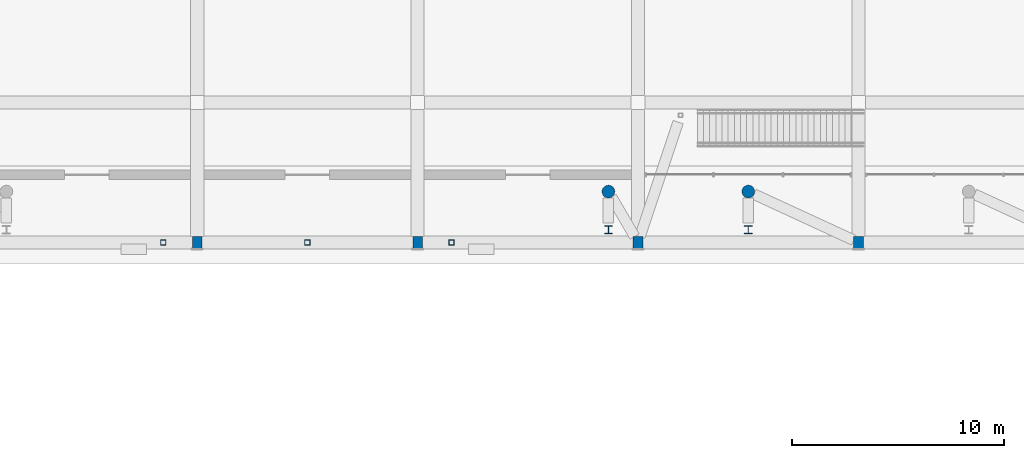
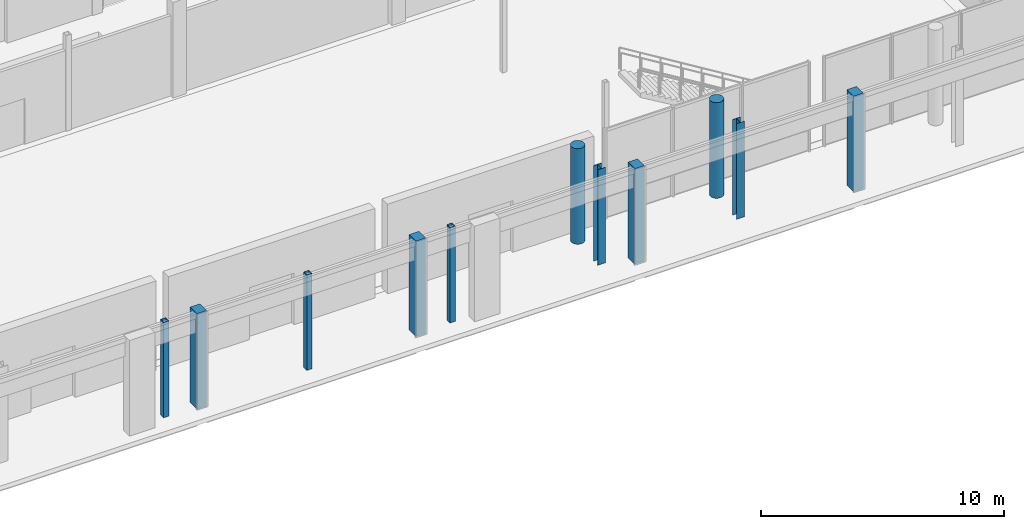
# One storey, part 9 of 88: 11 columns.
"""IFC4 building model written with IfcOpenShell, lengths in metres."""

from ifc_helpers import new_model, si_unit, derived_unit, direction, frame, origin, origin_2d, place, context, subcontext, project, spatial, rectangle, hollow_rectangle, circle, i_section, extrude, material, material_profile, profile_set, type_object, element, save


model = new_model("IFC4")

# Units and contexts
model_context = context("Model", 3, precision=1e-05, world=origin(), true_north=direction((0.0, 1.0)))
body_context = subcontext(model_context, "Body", "Model", "MODEL_VIEW")
ifc_project = project(units=[si_unit("LENGTHUNIT", "METRE"), si_unit("AREAUNIT", "SQUARE_METRE"), si_unit("VOLUMEUNIT", "CUBIC_METRE"), si_unit("PLANEANGLEUNIT", "RADIAN"), si_unit("MASSUNIT", "GRAM", prefix="KILO"), derived_unit("THERMALTRANSMITTANCEUNIT", [(si_unit("POWERUNIT", "WATT"), 1), (si_unit("LENGTHUNIT", "METRE"), -2), (si_unit("THERMODYNAMICTEMPERATUREUNIT", "KELVIN"), -1)])], contexts=[model_context])

# Site, building, storey
site_placement = place(None, origin())
site = spatial("IfcSite", under=ifc_project, at=site_placement, CompositionType="ELEMENT")
building_placement = place(site_placement, origin())
building = spatial("IfcBuilding", under=site, at=building_placement, Name="Braskholm Square Health Centre", CompositionType="ELEMENT")
storey_placement = place(building_placement, origin())
storey = spatial("IfcBuildingStorey", under=building, at=storey_placement, Name="L01", CompositionType="ELEMENT", Elevation=0.0)

# Columns
ifc_material_1 = material(Name="Precast concrete C40/50 architectural white", Category="concrete")
ifc_material_profile_1 = material_profile(ifc_material_1, rectangle(XDim=0.4599609375, YDim=0.56005859375, at=origin_2d()), Name="RC-460X560")
ifc_profile_set_1 = profile_set([ifc_material_profile_1], Name="Precast concrete C40/50 architectural white")
column_type_1 = type_object("IfcColumnType", Name="ColPrecastFrame460x560", PredefinedType="COLUMN", material=ifc_profile_set_1)
for number, where, z_axis, x_axis, name in (
    (1, (78.800048828125, 87.199951171875, 0.0), (0.0, 0.0, 1.0), (1.0, 0.0, 0.0), "Column 11/N L01"),
    (2, (89.199951171875, 87.199951171875, 0.0), (0.0, 0.0, 1.0), (1.0, 0.0, 0.0), "Column 12/N L01"),
    (3, (99.60009765625, 87.199951171875, 0.0), (0.0, 0.0, 1.0), (1.0, 0.0, 0.0), "Column 13/N L01"),
    (4, (110.0, 87.199951171875, 0.0), (0.0, 0.0, 1.0), (1.0, 0.0, 0.0), "Column 14/N L01"),
):
    element("IfcColumn", number, at=place(storey_placement, frame(where, z_axis=z_axis, x_axis=x_axis)), inside=storey, type_object=column_type_1, Name=name, PredefinedType="COLUMN", context=body_context, shape_type="SweptSolid", body=[
        extrude(rectangle(XDim=0.4599609375, YDim=0.56005859375, at=origin_2d()), origin(), (0.0, 0.0, 1.0), 4.800048828125),
    ])
ifc_material_2 = material(Name="Concrete C40/50 (f'c = 40 MPa)", Category="concrete")
ifc_material_profile_2 = material_profile(ifc_material_2, circle(Radius=0.300048828125, at=origin_2d()), Name="RC-RND-600")
ifc_profile_set_2 = profile_set([ifc_material_profile_2], Name="Concrete C40/50 (f'c = 40 MPa)")
column_type_2 = type_object("IfcColumnType", Name="ColRoundConcourse600", PredefinedType="COLUMN", material=ifc_profile_set_2)
for number, where, z_axis, x_axis, name in (
    (5, (98.199951171875, 89.60009765625, 0.0), (0.0, 0.0, 1.0), (1.0, 0.0, 0.0), "Column RC04 L01"),
    (6, (104.800048828125, 89.60009765625, 0.0), (0.0, 0.0, 1.0), (1.0, 0.0, 0.0), "Column RC05 L01"),
):
    element("IfcColumn", number, at=place(storey_placement, frame(where, z_axis=z_axis, x_axis=x_axis)), inside=storey, type_object=column_type_2, Name=name, PredefinedType="COLUMN", context=body_context, shape_type="SweptSolid", body=[
        extrude(circle(Radius=0.300048828125, at=origin_2d()), origin(), (0.0, 0.0, 1.0), 4.800048828125),
    ])
ifc_material_3 = material(Name="Steel ASTM A500 Grade C", Category="steel")
ifc_material_profile_3 = material_profile(ifc_material_3, hollow_rectangle(XDim=0.25390625, YDim=0.25390625, WallThickness=0.01171875, at=origin_2d()), Name="HSS10X10X1/2")
ifc_profile_set_3 = profile_set([ifc_material_profile_3], Name="Steel ASTM A500 Grade C")
column_type_3 = type_object("IfcColumnType", Name="ColSteelCanopyHSS10", PredefinedType="COLUMN", material=ifc_profile_set_3)
for number, where, z_axis, x_axis, name in (
    (7, (77.199951171875, 87.199951171875, 0.0), (0.0, 0.0, 1.0), (1.0, 0.0, 0.0), "Column CS2A L01"),
    (8, (84.0, 87.199951171875, 0.0), (0.0, 0.0, 1.0), (1.0, 0.0, 0.0), "Column CS2B L01"),
    (9, (90.800048828125, 87.199951171875, 0.0), (0.0, 0.0, 1.0), (1.0, 0.0, 0.0), "Column CS2C L01"),
):
    element("IfcColumn", number, at=place(storey_placement, frame(where, z_axis=z_axis, x_axis=x_axis)), inside=storey, type_object=column_type_3, Name=name, PredefinedType="COLUMN", context=body_context, shape_type="SweptSolid", body=[
        extrude(hollow_rectangle(XDim=0.25390625, YDim=0.25390625, WallThickness=0.01171875, at=origin_2d()), origin(), (0.0, 0.0, 1.0), 4.800048828125),
    ])
ifc_material_4 = material(Name="Steel ASTM A992 Grade 50", Category="steel")
ifc_material_profile_4 = material_profile(ifc_material_4, i_section(OverallWidth=0.368896484375, OverallDepth=0.35595703125, WebThickness=0.01123046875, FlangeThickness=0.01806640625, at=origin_2d()), Name="W14X90")
ifc_profile_set_4 = profile_set([ifc_material_profile_4], Name="Steel ASTM A992 Grade 50")
column_type_4 = type_object("IfcColumnType", Name="ColSteelHallW14X90", PredefinedType="COLUMN", material=ifc_profile_set_4)
for number, where, z_axis, x_axis, name in (
    (10, (98.199951171875, 87.800048828125, 0.0), (0.0, 0.0, 1.0), (1.0, 0.0, 0.0), "Column CS1D L01"),
    (11, (104.800048828125, 87.800048828125, 0.0), (0.0, 0.0, 1.0), (1.0, 0.0, 0.0), "Column CS1E L01"),
):
    element("IfcColumn", number, at=place(storey_placement, frame(where, z_axis=z_axis, x_axis=x_axis)), inside=storey, type_object=column_type_4, Name=name, PredefinedType="COLUMN", context=body_context, shape_type="SweptSolid", body=[
        extrude(i_section(OverallWidth=0.368896484375, OverallDepth=0.35595703125, WebThickness=0.01123046875, FlangeThickness=0.01806640625, at=origin_2d()), origin(), (0.0, 0.0, 1.0), 4.800048828125),
    ])

save(model, "model.ifc")
